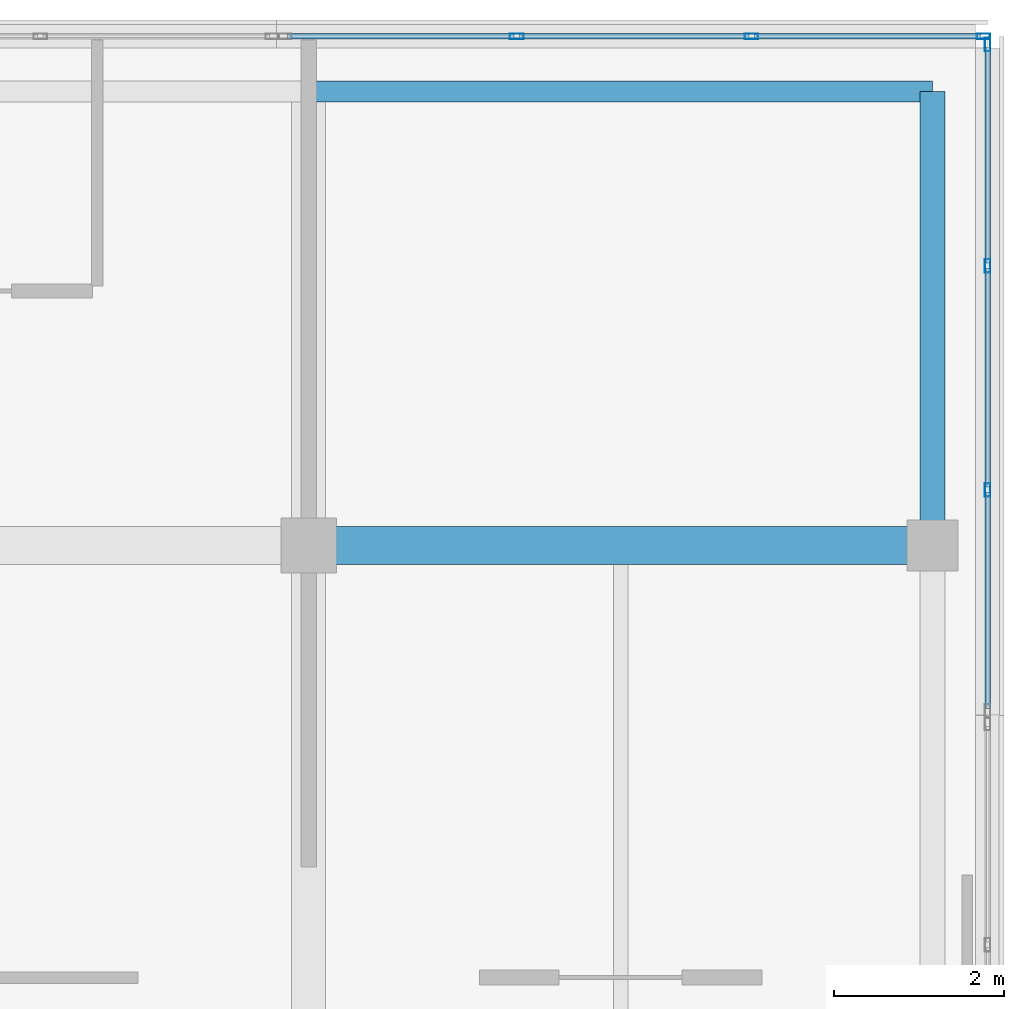
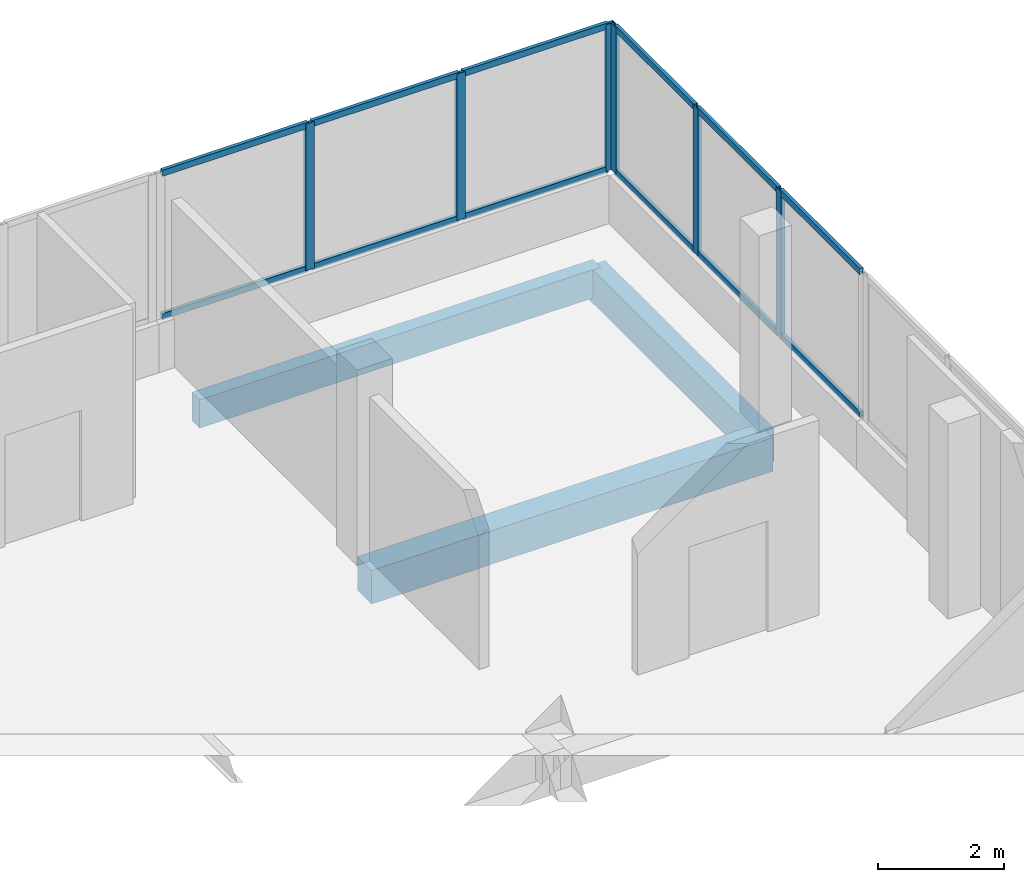
# One storey, part 60 of 76: 18 members, 3 beams, 2 elements without a shape of their own.
"""IFC4 building model written with IfcOpenShell, lengths in metres."""

import ifcopenshell
import ifcopenshell.guid

model = None  # the IFC model being written
_history = None  # IfcOwnerHistory: only IFC2X3 demands one
_inside = {}  # id of a spatial element -> (the spatial element, [elements in it])
_under = {}  # id of a project, library or spatial element -> (it, [spatial elements below it])
_declared = {}  # id of a project -> (the project, [libraries it declares])
_typed = {}  # id of a type object -> (the type object, [elements of that type])
_made_of = {}  # id of a material, layer set ... -> (it, [elements and type objects made of it])


def new_model(schema):
    """Start an empty IFC model of exactly this schema.

    Asked for "IFC4X3", IfcOpenShell would pick the latest addendum, in which some entities
    have other attributes; the version numbers below select the first issue.
    IFC2X3 requires an IfcOwnerHistory on every rooted entity: one is made here for all.
    """
    global model, _history
    if schema == "IFC4X3":
        model = ifcopenshell.file(schema_version=(4, 3, 0, 0))
    else:
        model = ifcopenshell.file(schema=schema)
    _inside.clear()
    _under.clear()
    _declared.clear()
    _typed.clear()
    _made_of.clear()
    _history = None
    if model.schema == "IFC2X3":
        org = make("IfcOrganization", Name="unknown")
        user = make(
            "IfcPersonAndOrganization",
            ThePerson=make("IfcPerson", FamilyName="unknown"),
            TheOrganization=org,
        )
        app = make(
            "IfcApplication",
            ApplicationDeveloper=org,
            Version="unknown",
            ApplicationFullName="unknown",
            ApplicationIdentifier="unknown",
        )
        _history = make(
            "IfcOwnerHistory",
            OwningUser=user,
            OwningApplication=app,
            ChangeAction="ADDED",
            CreationDate=0,
        )
    return model


def make(cls, **values):
    """One entity of the class cls with the attributes given. An attribute that is None is left unset."""
    return model.create_entity(
        cls, **{name: value for name, value in values.items() if value is not None}
    )


def rooted(cls, **values):
    """An entity with a GlobalId (a new one), such as an element, a storey or a relation."""
    return make(cls, GlobalId=ifcopenshell.guid.new(), OwnerHistory=_history, **values)


def si_unit(unit_type, name, prefix=None):
    """IfcSIUnit, for example si_unit("LENGTHUNIT", "METRE", prefix="MILLI")."""
    return make("IfcSIUnit", UnitType=unit_type, Prefix=prefix, Name=name)


def assignment(units):
    """IfcUnitAssignment: the units of a project."""
    return None if units is None else make("IfcUnitAssignment", Units=units)


def point(xyz):
    """IfcCartesianPoint."""
    return None if xyz is None else make("IfcCartesianPoint", Coordinates=xyz)


def direction(xyz):
    """IfcDirection."""
    return None if xyz is None else make("IfcDirection", DirectionRatios=xyz)


def frame(location, z_axis=None, x_axis=None):
    """IfcAxis2Placement3D, a coordinate frame: its origin and axes. An axis left out is left unset."""
    return make(
        "IfcAxis2Placement3D",
        Location=point(location),
        Axis=direction(z_axis),
        RefDirection=direction(x_axis),
    )


def frame_2d(location, x_axis=None):
    """IfcAxis2Placement2D, a coordinate frame in the plane: its origin and x axis."""
    return make(
        "IfcAxis2Placement2D", Location=point(location), RefDirection=direction(x_axis)
    )


def origin():
    """The frame at (0, 0, 0) with its axes left unset."""
    return frame((0.0, 0.0, 0.0))


def origin_2d():
    """The frame at (0, 0) in the plane with its x axis left unset."""
    return frame_2d((0.0, 0.0))


def place(relative_to, where):
    """IfcLocalPlacement: puts the frame where relative to a parent placement (None: the world)."""
    return make(
        "IfcLocalPlacement", PlacementRelTo=relative_to, RelativePlacement=where
    )


def context(
    kind, dimensions, precision=None, world=None, true_north=None, identifier=None
):
    """IfcGeometricRepresentationContext, for example the 3D "Model" context."""
    return make(
        "IfcGeometricRepresentationContext",
        ContextIdentifier=identifier,
        ContextType=kind,
        CoordinateSpaceDimension=dimensions,
        Precision=precision,
        WorldCoordinateSystem=world,
        TrueNorth=true_north,
    )


def subcontext(parent, identifier, kind, view, scale=None):
    """IfcGeometricRepresentationSubContext, for example "Body" below "Model"."""
    return make(
        "IfcGeometricRepresentationSubContext",
        ContextIdentifier=identifier,
        ContextType=kind,
        ParentContext=parent,
        TargetScale=scale,
        TargetView=view,
    )


def project(units=None, contexts=None):
    """IfcProject with its units and contexts."""
    return rooted(
        "IfcProject",
        Name="project",
        RepresentationContexts=contexts,
        UnitsInContext=assignment(units),
    )


def spatial(cls, under=None, at=None, **own):
    """A site, building, storey or space (cls), placed at a placement, below another one or the project."""
    s = rooted(cls, ObjectPlacement=at, **own)
    if under is not None:
        _under.setdefault(under.id(), (under, []))[1].append(s)
    return s


def profile(cls, at=None, kind="AREA", **sizes):
    """A parametric profile (cls). Its sizes go by their IFC names, for example OverallWidth=200.0."""
    return make(cls, ProfileType=kind, Position=at, **sizes)


def rectangle(**sizes):
    """IfcRectangleProfileDef."""
    return profile("IfcRectangleProfileDef", **sizes)


def hollow_rectangle(**sizes):
    """IfcRectangleHollowProfileDef."""
    return profile("IfcRectangleHollowProfileDef", **sizes)


def extrude(swept, where, along, depth):
    """IfcExtrudedAreaSolid: the profile swept, set in the frame where, extruded along a direction by depth."""
    return make(
        "IfcExtrudedAreaSolid",
        SweptArea=swept,
        Position=where,
        ExtrudedDirection=direction(along),
        Depth=depth,
    )


def shape(context_of_items, identifier, shape_type, items):
    """IfcShapeRepresentation: the items that make up one representation, for example the "Body"."""
    return make(
        "IfcShapeRepresentation",
        ContextOfItems=context_of_items,
        RepresentationIdentifier=identifier,
        RepresentationType=shape_type,
        Items=items,
    )


def material(Name=None, Category=None):
    """IfcMaterial."""
    return make("IfcMaterial", Name=Name, Category=Category)


def material_profile(
    of_material, cross_section, Name=None, Category=None, Priority=None
):
    """IfcMaterialProfile: a cross section and its material."""
    return make(
        "IfcMaterialProfile",
        Name=Name,
        Material=of_material,
        Profile=cross_section,
        Priority=Priority,
        Category=Category,
    )


def profile_set(profiles, Name=None, composite=None):
    """IfcMaterialProfileSet."""
    return make(
        "IfcMaterialProfileSet",
        Name=Name,
        MaterialProfiles=profiles,
        CompositeProfile=composite,
    )


def made_of(thing, what):
    """Note that an element or type object is made of a material, layer set ...; save() writes the relation."""
    if what is not None:
        _made_of.setdefault(what.id(), (what, []))[1].append(thing)
    return thing


def type_object(cls, material=None, **own):
    """A type object (cls), such as IfcWallType, which elements share."""
    return made_of(rooted(cls, **own), material)


def element(
    cls,
    number,
    at=None,
    inside=None,
    cuts=None,
    type_object=None,
    material=None,
    context=None,
    identifier="Body",
    shape_type=None,
    held_by="IfcProductDefinitionShape",
    body=None,
    shapes=None,
    **own,
):
    """One element of the class cls, such as IfcWall. Its Tag is "e" and its number.

    at: its placement. inside: the storey or other place that contains it. cuts: it is an
    opening in that element (IfcRelVoidsElement). A single representation is given by context,
    identifier, shape_type and body (its items); several are given by shapes. held_by: the class
    of the entity that holds the representations. save() writes the other relations.
    """
    e = rooted(cls, Tag="e%d" % number, ObjectPlacement=at, **own)
    if body is not None:
        shapes = [shape(context, identifier, shape_type, body)]
    if shapes is not None:
        e.Representation = make(held_by, Representations=shapes)
    if inside is not None:
        _inside.setdefault(inside.id(), (inside, []))[1].append(e)
    if cuts is not None:
        rooted(
            "IfcRelVoidsElement", RelatingBuildingElement=cuts, RelatedOpeningElement=e
        )
    if type_object is not None:
        _typed.setdefault(type_object.id(), (type_object, []))[1].append(e)
    return made_of(e, material)


def aggregate(whole, parts):
    """IfcRelAggregates: a whole, such as a stair, and the parts it consists of."""
    return rooted("IfcRelAggregates", RelatingObject=whole, RelatedObjects=parts)


def save(model, path):
    """Write the relations noted so far, then the file.

    IfcRelAggregates (storeys below a building ...), IfcRelContainedInSpatialStructure (elements
    in a storey), IfcRelDefinesByType, IfcRelAssociatesMaterial and IfcRelDeclares: one each for
    every whole, place, type object, material and project.
    """
    for whole, parts in _under.values():
        aggregate(whole, parts)
    for where, things in _inside.values():
        rooted(
            "IfcRelContainedInSpatialStructure",
            RelatedElements=things,
            RelatingStructure=where,
        )
    for kind, things in _typed.values():
        rooted("IfcRelDefinesByType", RelatedObjects=things, RelatingType=kind)
    for what, things in _made_of.values():
        rooted("IfcRelAssociatesMaterial", RelatedObjects=things, RelatingMaterial=what)
    for by, libraries in _declared.values():
        rooted("IfcRelDeclares", RelatingContext=by, RelatedDefinitions=libraries)
    model.write(path)


model = new_model("IFC4")

# Units and contexts
model_context = context("Model", 3, precision=1e-05, world=origin(), true_north=direction((0.0, 1.0)))
body_context = subcontext(model_context, "Body", "Model", "MODEL_VIEW")
ifc_project = project(units=[si_unit("LENGTHUNIT", "METRE"), si_unit("AREAUNIT", "SQUARE_METRE"), si_unit("VOLUMEUNIT", "CUBIC_METRE"), si_unit("PLANEANGLEUNIT", "RADIAN"), si_unit("MASSUNIT", "GRAM", prefix="KILO")], contexts=[model_context])

# Site, building, storey
site_placement = place(None, origin())
site = spatial("IfcSite", under=ifc_project, at=site_placement, CompositionType="ELEMENT")
building_placement = place(site_placement, origin())
building = spatial("IfcBuilding", under=site, at=building_placement, Name="Selatvlak General Hospital", CompositionType="ELEMENT")
storey_placement = place(building_placement, frame((0.0, 0.0, 27.300048828125)))
storey = spatial("IfcBuildingStorey", under=building, at=storey_placement, Name="L06", CompositionType="ELEMENT", Elevation=27.300048828125)

# Beams
ifc_material_1 = material(Name="Concrete C40/50", Category="concrete")
ifc_material_profile_1 = material_profile(ifc_material_1, rectangle(XDim=0.449951171875, YDim=0.64990234375, at=origin_2d()), Name="RC-BM 450x650")
ifc_profile_set_1 = profile_set([ifc_material_profile_1], Name="Concrete C40/50")
beam_type_1 = type_object("IfcBeamType", Name="BM-G04", PredefinedType="BEAM", material=ifc_profile_set_1)
beam_1_placement = place(storey_placement, frame((174.0, 114.0, -0.60009765625), z_axis=(1.0, 0.0, 0.0), x_axis=(0.0, 1.0, 0.0)))
element("IfcBeam", 1, at=beam_1_placement, inside=storey, type_object=beam_type_1, Name="Beam BMR-L06-2229", PredefinedType="BEAM", context=body_context, shape_type="SweptSolid", body=[
    extrude(rectangle(XDim=0.449951171875, YDim=0.64990234375, at=origin_2d()), origin(), (0.0, 0.0, 1.0), 7.35009765625),
])
ifc_material_profile_2 = material_profile(ifc_material_1, rectangle(XDim=0.300048828125, YDim=0.64990234375, at=origin_2d()), Name="RC-SP 300x650")
ifc_profile_set_2 = profile_set([ifc_material_profile_2], Name="Concrete C40/50")
beam_type_2 = type_object("IfcBeamType", Name="BM-SP1", PredefinedType="SPANDREL", material=ifc_profile_set_2)
beam_2_placement = place(storey_placement, frame((181.35009765625, 114.0, -0.60009765625), z_axis=(0.0, 1.0, 0.0), x_axis=(-1.0, 0.0, 0.0)))
element("IfcBeam", 2, at=beam_2_placement, inside=storey, type_object=beam_type_2, Name="Beam BMR-L06-2353", PredefinedType="SPANDREL", context=body_context, shape_type="SweptSolid", body=[
    extrude(rectangle(XDim=0.300048828125, YDim=0.64990234375, at=origin_2d()), origin(), (0.0, 0.0, 1.0), 5.35009765625),
])
ifc_material_profile_3 = material_profile(ifc_material_1, rectangle(XDim=0.25, YDim=0.550048828125, at=origin_2d()), Name="RC-SP 250x550")
ifc_profile_set_3 = profile_set([ifc_material_profile_3], Name="Concrete C40/50")
beam_type_3 = type_object("IfcBeamType", Name="BM-SP2", PredefinedType="SPANDREL", material=ifc_profile_set_3)
beam_3_placement = place(storey_placement, frame((174.0, 119.35009765625, -0.550048828125), z_axis=(1.0, 0.0, 0.0), x_axis=(0.0, 1.0, 0.0)))
element("IfcBeam", 3, at=beam_3_placement, inside=storey, type_object=beam_type_3, Name="Beam BMR-L06-2244", PredefinedType="SPANDREL", context=body_context, shape_type="SweptSolid", body=[
    extrude(rectangle(XDim=0.25, YDim=0.550048828125, at=origin_2d()), origin(), (0.0, 0.0, 1.0), 7.35009765625),
])

# Curtain wall, members
ifc_material_2 = material(Name="Solar-control Low-E double glazing", Category="glass")
curtain_wall_type = type_object("IfcCurtainWallType", Name="CW-CW-02", PredefinedType="USERDEFINED", material=ifc_material_2)
curtain_wall_1_placement = place(storey_placement, origin())
curtain_wall_1 = element("IfcCurtainWall", 4, at=curtain_wall_1_placement, inside=storey, type_object=curtain_wall_type, Name="Glazed facade curtain wall CW-L06-0616", ObjectType="UNITISED CURTAIN WALL", PredefinedType="USERDEFINED")
ifc_material_3 = material(Name="Dark anodised aluminium mullion", Category="aluminium")
ifc_material_profile_4 = material_profile(ifc_material_3, hollow_rectangle(XDim=0.06494140625, YDim=0.159912109375, WallThickness=0.00390625, at=origin_2d()), Name="AL-MUL 65x160x4")
ifc_profile_set_4 = profile_set([ifc_material_profile_4], Name="Dark anodised aluminium mullion")
member_type_1 = type_object("IfcMemberType", Name="CWM-01", PredefinedType="MULLION", material=ifc_profile_set_4)
member_1_placement = place(storey_placement, frame((176.451416015625, 120.0, 0.93994140625), z_axis=(0.0, 0.0, 1.0), x_axis=(0.0, 1.0, 0.0)))
member_1 = element("IfcMember", 5, at=member_1_placement, type_object=member_type_1, Name="CW-02 mullion 2", PredefinedType="MULLION", context=body_context, shape_type="SweptSolid", body=[
    extrude(hollow_rectangle(XDim=0.06494140625, YDim=0.159912109375, WallThickness=0.00390625, at=origin_2d()), origin(), (0.0, 0.0, 1.0), 2.840087890625),
])
member_2_placement = place(storey_placement, frame((179.2177734375, 120.0, 0.93994140625), z_axis=(0.0, 0.0, 1.0), x_axis=(0.0, 1.0, 0.0)))
member_2 = element("IfcMember", 6, at=member_2_placement, type_object=member_type_1, Name="CW-02 mullion 3", PredefinedType="MULLION", context=body_context, shape_type="SweptSolid", body=[
    extrude(hollow_rectangle(XDim=0.06494140625, YDim=0.159912109375, WallThickness=0.00390625, at=origin_2d()), origin(), (0.0, 0.0, 1.0), 2.840087890625),
])
member_3_placement = place(storey_placement, frame((181.951416015625, 120.0, 0.93994140625), z_axis=(0.0, 0.0, 1.0), x_axis=(0.0, 1.0, 0.0)))
member_3 = element("IfcMember", 7, at=member_3_placement, type_object=member_type_1, Name="CW-02 mullion 4", PredefinedType="MULLION", context=body_context, shape_type="SweptSolid", body=[
    extrude(hollow_rectangle(XDim=0.06494140625, YDim=0.159912109375, WallThickness=0.00390625, at=origin_2d()), origin(), (0.0, 0.0, 1.0), 2.840087890625),
])

curtain_wall_2_placement = place(storey_placement, origin())
curtain_wall_2 = element("IfcCurtainWall", 8, at=curtain_wall_2_placement, inside=storey, type_object=curtain_wall_type, Name="Glazed facade curtain wall CW-L06-0617", ObjectType="UNITISED CURTAIN WALL", PredefinedType="USERDEFINED")
member_4_placement = place(storey_placement, frame((181.9990234375, 119.902587890625, 0.93994140625), z_axis=(0.0, 0.0, 1.0), x_axis=(1.0, 0.0, 0.0)))
member_4 = element("IfcMember", 9, at=member_4_placement, type_object=member_type_1, Name="CW-02 mullion 1", PredefinedType="MULLION", context=body_context, shape_type="SweptSolid", body=[
    extrude(hollow_rectangle(XDim=0.06494140625, YDim=0.159912109375, WallThickness=0.00390625, at=origin_2d()), origin(), (0.0, 0.0, 1.0), 2.840087890625),
])
member_5_placement = place(storey_placement, frame((181.9990234375, 117.294921875, 0.93994140625), z_axis=(0.0, 0.0, 1.0), x_axis=(1.0, 0.0, 0.0)))
member_5 = element("IfcMember", 10, at=member_5_placement, type_object=member_type_1, Name="CW-02 mullion 2", PredefinedType="MULLION", context=body_context, shape_type="SweptSolid", body=[
    extrude(hollow_rectangle(XDim=0.06494140625, YDim=0.159912109375, WallThickness=0.00390625, at=origin_2d()), origin(), (0.0, 0.0, 1.0), 2.840087890625),
])
member_6_placement = place(storey_placement, frame((181.9990234375, 114.655029296875, 0.93994140625), z_axis=(0.0, 0.0, 1.0), x_axis=(1.0, 0.0, 0.0)))
member_6 = element("IfcMember", 11, at=member_6_placement, type_object=member_type_1, Name="CW-02 mullion 3", PredefinedType="MULLION", context=body_context, shape_type="SweptSolid", body=[
    extrude(hollow_rectangle(XDim=0.06494140625, YDim=0.159912109375, WallThickness=0.00390625, at=origin_2d()), origin(), (0.0, 0.0, 1.0), 2.840087890625),
])

# Member
ifc_material_profile_5 = material_profile(ifc_material_3, hollow_rectangle(XDim=0.06494140625, YDim=0.1201171875, WallThickness=0.00390625, at=origin_2d()), Name="AL-TRN 65x120x4")
ifc_profile_set_5 = profile_set([ifc_material_profile_5], Name="Dark anodised aluminium mullion")
member_type_2 = type_object("IfcMemberType", Name="CWT-01", PredefinedType="USERDEFINED", material=ifc_profile_set_5)
member_7_placement = place(storey_placement, frame((173.75, 120.0, 0.972412109375), z_axis=(1.0, 0.0, 0.0), x_axis=(0.0, 1.0, 0.0)))
member_7 = element("IfcMember", 12, at=member_7_placement, type_object=member_type_2, Name="CW-02 transom 1.1", ObjectType="TRANSOM", PredefinedType="USERDEFINED", context=body_context, shape_type="SweptSolid", body=[
    extrude(hollow_rectangle(XDim=0.06494140625, YDim=0.1201171875, WallThickness=0.00390625, at=origin_2d()), origin(), (0.0, 0.0, 1.0), 2.6689453125),
])

member_8_placement = place(storey_placement, frame((173.75, 120.0, 3.74755859375), z_axis=(1.0, 0.0, 0.0), x_axis=(0.0, 1.0, 0.0)))
member_8 = element("IfcMember", 13, at=member_8_placement, type_object=member_type_2, Name="CW-02 transom 1.2", ObjectType="TRANSOM", PredefinedType="USERDEFINED", context=body_context, shape_type="SweptSolid", body=[
    extrude(hollow_rectangle(XDim=0.06494140625, YDim=0.1201171875, WallThickness=0.00390625, at=origin_2d()), origin(), (0.0, 0.0, 1.0), 2.6689453125),
])

member_9_placement = place(storey_placement, frame((176.48388671875, 120.0, 0.972412109375), z_axis=(1.0, 0.0, 0.0), x_axis=(0.0, 1.0, 0.0)))
member_9 = element("IfcMember", 14, at=member_9_placement, type_object=member_type_2, Name="CW-02 transom 2.1", ObjectType="TRANSOM", PredefinedType="USERDEFINED", context=body_context, shape_type="SweptSolid", body=[
    extrude(hollow_rectangle(XDim=0.06494140625, YDim=0.1201171875, WallThickness=0.00390625, at=origin_2d()), origin(), (0.0, 0.0, 1.0), 2.701171875),
])

member_10_placement = place(storey_placement, frame((176.48388671875, 120.0, 3.74755859375), z_axis=(1.0, 0.0, 0.0), x_axis=(0.0, 1.0, 0.0)))
member_10 = element("IfcMember", 15, at=member_10_placement, type_object=member_type_2, Name="CW-02 transom 2.2", ObjectType="TRANSOM", PredefinedType="USERDEFINED", context=body_context, shape_type="SweptSolid", body=[
    extrude(hollow_rectangle(XDim=0.06494140625, YDim=0.1201171875, WallThickness=0.00390625, at=origin_2d()), origin(), (0.0, 0.0, 1.0), 2.701171875),
])

member_11_placement = place(storey_placement, frame((179.250244140625, 120.0, 0.972412109375), z_axis=(1.0, 0.0, 0.0), x_axis=(0.0, 1.0, 0.0)))
member_11 = element("IfcMember", 16, at=member_11_placement, type_object=member_type_2, Name="CW-02 transom 3.1", ObjectType="TRANSOM", PredefinedType="USERDEFINED", context=body_context, shape_type="SweptSolid", body=[
    extrude(hollow_rectangle(XDim=0.06494140625, YDim=0.1201171875, WallThickness=0.00390625, at=origin_2d()), origin(), (0.0, 0.0, 1.0), 2.668701171875),
])

member_12_placement = place(storey_placement, frame((179.250244140625, 120.0, 3.74755859375), z_axis=(1.0, 0.0, 0.0), x_axis=(0.0, 1.0, 0.0)))
member_12 = element("IfcMember", 17, at=member_12_placement, type_object=member_type_2, Name="CW-02 transom 3.2", ObjectType="TRANSOM", PredefinedType="USERDEFINED", context=body_context, shape_type="SweptSolid", body=[
    extrude(hollow_rectangle(XDim=0.06494140625, YDim=0.1201171875, WallThickness=0.00390625, at=origin_2d()), origin(), (0.0, 0.0, 1.0), 2.668701171875),
])

aggregate(curtain_wall_1, [member_1, member_2, member_3, member_7, member_8, member_9, member_10, member_11, member_12])

member_13_placement = place(storey_placement, frame((181.9990234375, 119.8701171875, 0.972412109375), z_axis=(0.0, -1.0, 0.0), x_axis=(1.0, 0.0, 0.0)))
member_13 = element("IfcMember", 18, at=member_13_placement, type_object=member_type_2, Name="CW-02 transom 1.1", ObjectType="TRANSOM", PredefinedType="USERDEFINED", context=body_context, shape_type="SweptSolid", body=[
    extrude(hollow_rectangle(XDim=0.06494140625, YDim=0.1201171875, WallThickness=0.00390625, at=origin_2d()), origin(), (0.0, 0.0, 1.0), 2.542724609375),
])

member_14_placement = place(storey_placement, frame((181.9990234375, 119.8701171875, 3.74755859375), z_axis=(0.0, -1.0, 0.0), x_axis=(1.0, 0.0, 0.0)))
member_14 = element("IfcMember", 19, at=member_14_placement, type_object=member_type_2, Name="CW-02 transom 1.2", ObjectType="TRANSOM", PredefinedType="USERDEFINED", context=body_context, shape_type="SweptSolid", body=[
    extrude(hollow_rectangle(XDim=0.06494140625, YDim=0.1201171875, WallThickness=0.00390625, at=origin_2d()), origin(), (0.0, 0.0, 1.0), 2.542724609375),
])

member_15_placement = place(storey_placement, frame((181.9990234375, 117.262451171875, 0.972412109375), z_axis=(0.0, -1.0, 0.0), x_axis=(1.0, 0.0, 0.0)))
member_15 = element("IfcMember", 20, at=member_15_placement, type_object=member_type_2, Name="CW-02 transom 2.1", ObjectType="TRANSOM", PredefinedType="USERDEFINED", context=body_context, shape_type="SweptSolid", body=[
    extrude(hollow_rectangle(XDim=0.06494140625, YDim=0.1201171875, WallThickness=0.00390625, at=origin_2d()), origin(), (0.0, 0.0, 1.0), 2.574951171875),
])

member_16_placement = place(storey_placement, frame((181.9990234375, 117.262451171875, 3.74755859375), z_axis=(0.0, -1.0, 0.0), x_axis=(1.0, 0.0, 0.0)))
member_16 = element("IfcMember", 21, at=member_16_placement, type_object=member_type_2, Name="CW-02 transom 2.2", ObjectType="TRANSOM", PredefinedType="USERDEFINED", context=body_context, shape_type="SweptSolid", body=[
    extrude(hollow_rectangle(XDim=0.06494140625, YDim=0.1201171875, WallThickness=0.00390625, at=origin_2d()), origin(), (0.0, 0.0, 1.0), 2.574951171875),
])

member_17_placement = place(storey_placement, frame((181.9990234375, 114.62255859375, 0.972412109375), z_axis=(0.0, -1.0, 0.0), x_axis=(1.0, 0.0, 0.0)))
member_17 = element("IfcMember", 22, at=member_17_placement, type_object=member_type_2, Name="CW-02 transom 3.1", ObjectType="TRANSOM", PredefinedType="USERDEFINED", context=body_context, shape_type="SweptSolid", body=[
    extrude(hollow_rectangle(XDim=0.06494140625, YDim=0.1201171875, WallThickness=0.00390625, at=origin_2d()), origin(), (0.0, 0.0, 1.0), 2.54248046875),
])

member_18_placement = place(storey_placement, frame((181.9990234375, 114.62255859375, 3.74755859375), z_axis=(0.0, -1.0, 0.0), x_axis=(1.0, 0.0, 0.0)))
member_18 = element("IfcMember", 23, at=member_18_placement, type_object=member_type_2, Name="CW-02 transom 3.2", ObjectType="TRANSOM", PredefinedType="USERDEFINED", context=body_context, shape_type="SweptSolid", body=[
    extrude(hollow_rectangle(XDim=0.06494140625, YDim=0.1201171875, WallThickness=0.00390625, at=origin_2d()), origin(), (0.0, 0.0, 1.0), 2.54248046875),
])

aggregate(curtain_wall_2, [member_4, member_5, member_6, member_13, member_14, member_15, member_16, member_17, member_18])

save(model, "model.ifc")
